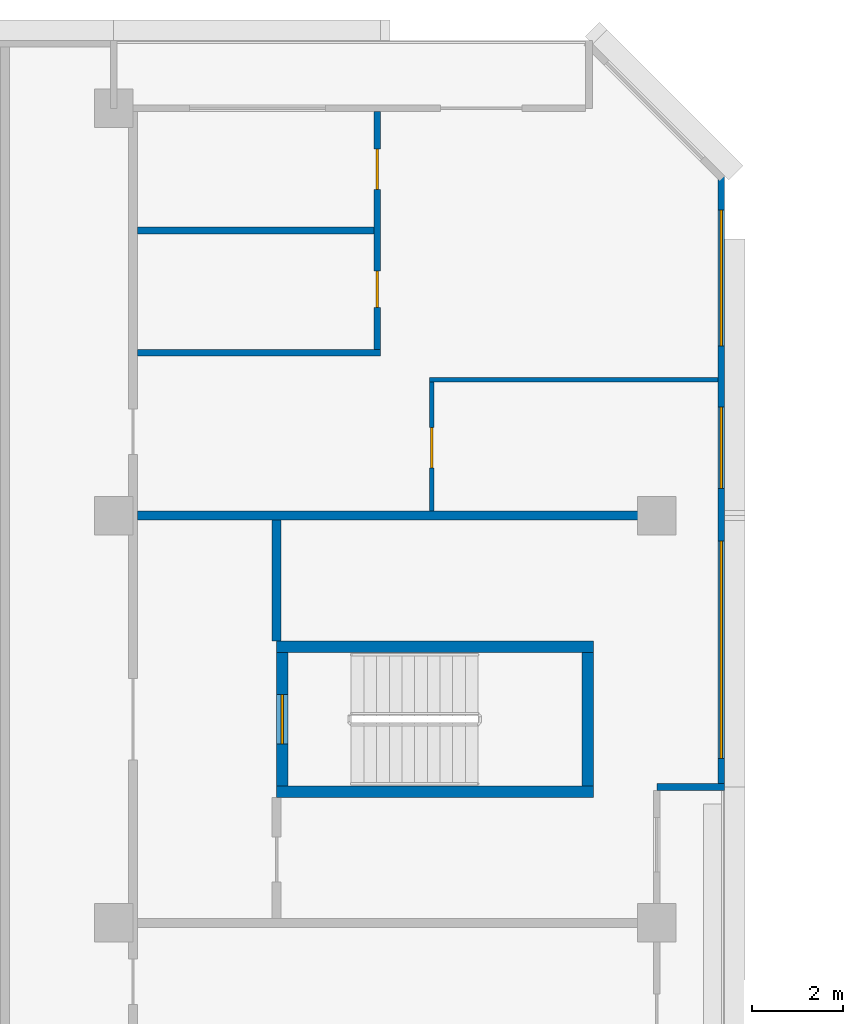
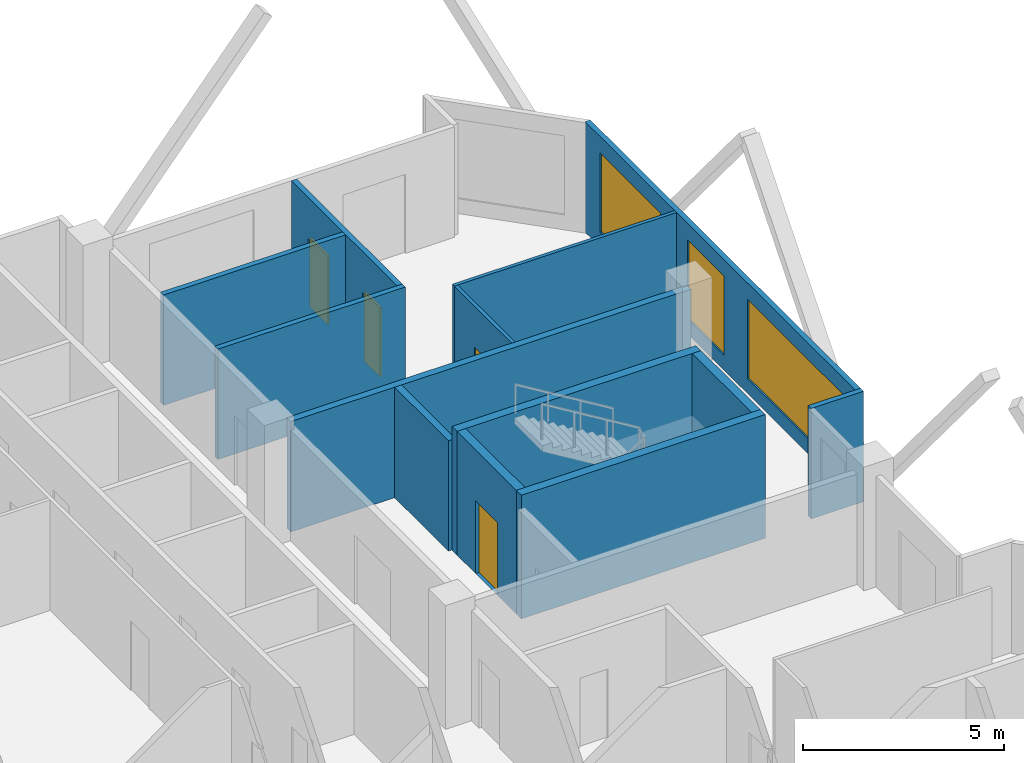
# One storey, part 11 of 14: 13 walls, 4 doors, 3 windows, 7 openings.
"""IFC4 building model written with IfcOpenShell, lengths in metres."""

from ifc_helpers import new_model, si_unit, direction, frame, frame_2d, origin, place, context, subcontext, project, spatial, rectangle, extrude, material, layer, layer_set, type_object, element, fill, save


model = new_model("IFC4")

# Units and contexts
model_context = context("Model", 3, precision=1e-05, world=origin(), true_north=direction((0.0, 1.0)))
body_context = subcontext(model_context, "Body", "Model", "MODEL_VIEW")
ifc_project = project(units=[si_unit("LENGTHUNIT", "METRE"), si_unit("AREAUNIT", "SQUARE_METRE"), si_unit("VOLUMEUNIT", "CUBIC_METRE"), si_unit("PLANEANGLEUNIT", "RADIAN"), si_unit("MASSUNIT", "GRAM", prefix="KILO")], contexts=[model_context])

# Site, building, storey
site_placement = place(None, origin())
site = spatial("IfcSite", under=ifc_project, at=site_placement, CompositionType="ELEMENT")
building_placement = place(site_placement, origin())
building = spatial("IfcBuilding", under=site, at=building_placement, Name="Chenar Terraces", CompositionType="ELEMENT")
storey_placement = place(building_placement, frame((0.0, 0.0, 226.64990234375)))
storey = spatial("IfcBuildingStorey", under=building, at=storey_placement, Name="L53", CompositionType="ELEMENT", Elevation=226.64990234375)

# Walls
ifc_material_1 = material(Name="Concrete C60/75", Category="concrete")
ifc_layer_1 = layer(ifc_material_1, 0.25)
ifc_layer_set_1 = layer_set([ifc_layer_1], Name="Concrete C60/75")
wall_type_1 = type_object("IfcWallType", Name="Core wall 250 Concrete C60/75", PredefinedType="SHEAR", material=ifc_layer_set_1)
for number, where, z_axis, x_axis, name in (
    (1, (15.60009765625, 47.89990234375, 0.0), (0.0, 0.0, 1.0), (1.0, 0.0, 0.0), "Core wall ST4_S L53"),
    (2, (15.60009765625, 51.10009765625, 0.0), (0.0, 0.0, 1.0), (1.0, 0.0, 0.0), "Core wall ST4_N L53"),
):
    element("IfcWall", number, at=place(storey_placement, frame(where, z_axis=z_axis, x_axis=x_axis)), inside=storey, type_object=wall_type_1, Name=name, PredefinedType="SHEAR", context=body_context, shape_type="SweptSolid", body=[
        extrude(rectangle(XDim=7.0, YDim=0.25, at=frame_2d((3.5, 0.0))), origin(), (0.0, 0.0, 1.0), 3.75),
    ])

# Wall, opening, door
wall_1_placement = place(storey_placement, frame((15.72509765625, 48.02490234375, 0.0), z_axis=(0.0, 0.0, 1.0), x_axis=(0.0, 1.0, 0.0)))
wall_1 = element("IfcWall", 3, at=wall_1_placement, inside=storey, type_object=wall_type_1, Name="Core wall ST4_W L53", PredefinedType="SHEAR", context=body_context, shape_type="SweptSolid", body=[
    extrude(rectangle(XDim=2.9501953125, YDim=0.25, at=frame_2d((1.47509765625, 0.0))), origin(), (0.0, 0.0, 1.0), 3.75),
])
opening_1_placement = place(wall_1_placement, frame((0.925048828125, 0.0, 0.0)))
opening_1 = element("IfcOpeningElement", 4, at=opening_1_placement, cuts=wall_1, Name="Opening DL53-C9", PredefinedType="OPENING", context=body_context, shape_type="SweptSolid", body=[
    extrude(rectangle(XDim=1.10009765625, YDim=2.199951171875, at=frame_2d((0.550048828125, 1.10009765625))), frame((0.0, 0.135009765625, 0.0), z_axis=(0.0, -1.0, 0.0), x_axis=(1.0, 0.0, 0.0)), (0.0, 0.0, 1.0), 0.27001953125),
])
ifc_material_2 = material(Name="Steel-framed fire-resisting door leaf", Category="steel")
door_type_1 = type_object("IfcDoorType", Name="Stair fire door FD60 1100 x 2200", OperationType="SINGLE_SWING_LEFT", PredefinedType="DOOR", material=ifc_material_2)
door_1_placement = place(opening_1_placement, frame((1.10009765625, 0.0, 0.0), z_axis=(0.0, 0.0, 1.0), x_axis=(-1.0, 0.0, 0.0)))
door_1 = element("IfcDoor", 5, at=door_1_placement, inside=storey, type_object=door_type_1, Name="Stair door DL53-C9", OperationType="SINGLE_SWING_RIGHT", OverallHeight=2.199951171875, OverallWidth=1.10009765625, PredefinedType="DOOR", context=body_context, shape_type="SweptSolid", body=[
    extrude(rectangle(XDim=1.10009765625, YDim=2.199951171875, at=frame_2d((0.550048828125, 1.10009765625))), frame((0.0, 0.02490234375, 0.0), z_axis=(0.0, -1.0, 0.0), x_axis=(1.0, 0.0, 0.0)), (0.0, 0.0, 1.0), 0.050048828125),
])
fill(opening_1, door_1)

# Walls
wall_2_placement = place(storey_placement, frame((22.47509765625, 48.02490234375, 0.0), z_axis=(0.0, 0.0, 1.0), x_axis=(0.0, 1.0, 0.0)))
element("IfcWall", 6, at=wall_2_placement, inside=storey, type_object=wall_type_1, Name="Core wall ST4_E L53", PredefinedType="SHEAR", context=body_context, shape_type="SweptSolid", body=[
    extrude(rectangle(XDim=2.9501953125, YDim=0.25, at=frame_2d((1.47509765625, 0.0))), origin(), (0.0, 0.0, 1.0), 3.75),
])
ifc_material_3 = material(Name="Gypsum board on steel studs with fire boards", Category="steel")
ifc_layer_2 = layer(ifc_material_3, 0.199951171875)
ifc_layer_set_2 = layer_set([ifc_layer_2], Name="Gypsum board on steel studs with fire boards")
wall_type_2 = type_object("IfcWallType", Name="Corridor wall 200", PredefinedType="PARTITIONING", material=ifc_layer_set_2)
wall_3_placement = place(storey_placement, frame((15.60009765625, 51.22509765625, 0.0), z_axis=(0.0, 0.0, 1.0), x_axis=(0.0, 1.0, 0.0)))
element("IfcWall", 7, at=wall_3_placement, inside=storey, type_object=wall_type_2, Name="Partition L53-043", PredefinedType="PARTITIONING", context=body_context, shape_type="SweptSolid", body=[
    extrude(rectangle(XDim=2.6748046875, YDim=0.199951171875, at=frame_2d((1.33740234375, 0.0))), origin(), (0.0, 0.0, 1.0), 3.35009765625),
])

# Wall, openings, windows
ifc_material_4 = material(Name="Aluminium framed glazing", Category="aluminium")
ifc_layer_3 = layer(ifc_material_4, 0.14990234375)
ifc_layer_set_3 = layer_set([ifc_layer_3], Name="Aluminium framed glazing")
wall_type_3 = type_object("IfcWallType", Name="Glazed flush facade wall 150", PredefinedType="SOLIDWALL", material=ifc_layer_set_3)
wall_4_placement = place(storey_placement, frame((25.425048828125, 48.074951171875, 0.0), z_axis=(0.0, 0.0, 1.0), x_axis=(0.0, 1.0, 0.0)))
wall_4 = element("IfcWall", 8, at=wall_4_placement, inside=storey, type_object=wall_type_3, Name="Glazed flush facade wall", PredefinedType="SOLIDWALL", context=body_context, shape_type="SweptSolid", body=[
    extrude(rectangle(XDim=13.425048828125, YDim=0.14990234375, at=frame_2d((6.71240234375, 0.0))), origin(), (0.0, 0.0, 1.0), 3.35009765625),
])
opening_2_placement = place(wall_4_placement, frame((0.5625, 0.0, 0.449951171875)))
opening_2 = element("IfcOpeningElement", 9, at=opening_2_placement, cuts=wall_4, Name="Opening W480x240", PredefinedType="OPENING", context=body_context, shape_type="SweptSolid", body=[
    extrude(rectangle(XDim=4.800048828125, YDim=2.39990234375, at=frame_2d((2.39990234375, 1.199951171875))), frame((0.0, 0.0849609375, 0.0), z_axis=(0.0, -1.0, 0.0), x_axis=(1.0, 0.0, 0.0)), (0.0, 0.0, 1.0), 0.169921875),
])
opening_3_placement = place(wall_4_placement, frame((6.52490234375, 0.0, 0.449951171875)))
opening_3 = element("IfcOpeningElement", 10, at=opening_3_placement, cuts=wall_4, Name="Opening W180x240", PredefinedType="OPENING", context=body_context, shape_type="SweptSolid", body=[
    extrude(rectangle(XDim=1.800048828125, YDim=2.39990234375, at=frame_2d((0.89990234375, 1.199951171875))), frame((0.0, 0.0849609375, 0.0), z_axis=(0.0, -1.0, 0.0), x_axis=(1.0, 0.0, 0.0)), (0.0, 0.0, 1.0), 0.169921875),
])
opening_4_placement = place(wall_4_placement, frame((9.675048828125, 0.0, 0.449951171875)))
opening_4 = element("IfcOpeningElement", 11, at=opening_4_placement, cuts=wall_4, Name="Opening W300x240", PredefinedType="OPENING", context=body_context, shape_type="SweptSolid", body=[
    extrude(rectangle(XDim=3.0, YDim=2.39990234375, at=frame_2d((1.5, 1.199951171875))), frame((0.0, 0.0849609375, 0.0), z_axis=(0.0, -1.0, 0.0), x_axis=(1.0, 0.0, 0.0)), (0.0, 0.0, 1.0), 0.169921875),
])
ifc_material_5 = material(Name="Low emissivity double glazing, aluminium frame", Category="aluminium")
window_type_1 = type_object("IfcWindowType", Name="Fixed light 1800 x 2400", PartitioningType="SINGLE_PANEL", PredefinedType="WINDOW", material=ifc_material_5)
window_1_placement = place(opening_3_placement, origin())
window_1 = element("IfcWindow", 12, at=window_1_placement, inside=storey, type_object=window_type_1, Name="Window", OverallHeight=2.39990234375, OverallWidth=1.800048828125, PartitioningType="SINGLE_PANEL", PredefinedType="WINDOW", context=body_context, shape_type="SweptSolid", body=[
    extrude(rectangle(XDim=1.800048828125, YDim=2.39990234375, at=frame_2d((0.89990234375, 1.199951171875))), frame((0.0, 0.030029296875, 0.0), z_axis=(0.0, -1.0, 0.0), x_axis=(1.0, 0.0, 0.0)), (0.0, 0.0, 1.0), 0.06005859375),
])
fill(opening_3, window_1)
ifc_material_6 = material(Name="Low emissivity double glazing, aluminium frame", Category="aluminium")
window_type_2 = type_object("IfcWindowType", Name="Fixed light 3000 x 2400", PartitioningType="SINGLE_PANEL", PredefinedType="WINDOW", material=ifc_material_6)
window_2_placement = place(opening_4_placement, origin())
window_2 = element("IfcWindow", 13, at=window_2_placement, inside=storey, type_object=window_type_2, Name="Window", OverallHeight=2.39990234375, OverallWidth=3.0, PartitioningType="SINGLE_PANEL", PredefinedType="WINDOW", context=body_context, shape_type="SweptSolid", body=[
    extrude(rectangle(XDim=3.0, YDim=2.39990234375, at=frame_2d((1.5, 1.199951171875))), frame((0.0, 0.030029296875, 0.0), z_axis=(0.0, -1.0, 0.0), x_axis=(1.0, 0.0, 0.0)), (0.0, 0.0, 1.0), 0.06005859375),
])
fill(opening_4, window_2)
ifc_material_7 = material(Name="Low emissivity double glazing, aluminium frame", Category="aluminium")
window_type_3 = type_object("IfcWindowType", Name="Fixed light 4800 x 2400", PartitioningType="SINGLE_PANEL", PredefinedType="WINDOW", material=ifc_material_7)
window_3_placement = place(opening_2_placement, origin())
window_3 = element("IfcWindow", 14, at=window_3_placement, inside=storey, type_object=window_type_3, Name="Window", OverallHeight=2.39990234375, OverallWidth=4.800048828125, PartitioningType="SINGLE_PANEL", PredefinedType="WINDOW", context=body_context, shape_type="SweptSolid", body=[
    extrude(rectangle(XDim=4.800048828125, YDim=2.39990234375, at=frame_2d((2.39990234375, 1.199951171875))), frame((0.0, 0.030029296875, 0.0), z_axis=(0.0, -1.0, 0.0), x_axis=(1.0, 0.0, 0.0)), (0.0, 0.0, 1.0), 0.06005859375),
])
fill(opening_2, window_3)

# Wall
ifc_material_8 = material(Name="Gypsum board on steel studs", Category="steel")
ifc_layer_4 = layer(ifc_material_8, 0.10009765625)
ifc_layer_set_4 = layer_set([ifc_layer_4], Name="Gypsum board on steel studs")
wall_type_4 = type_object("IfcWallType", Name="Gypsum partition 100", PredefinedType="PARTITIONING", material=ifc_layer_set_4)
wall_5_placement = place(storey_placement, frame((18.97509765625, 57.0, 0.0), z_axis=(0.0, 0.0, 1.0), x_axis=(1.0, 0.0, 0.0)))
element("IfcWall", 15, at=wall_5_placement, inside=storey, type_object=wall_type_4, Name="Partition L53-048", PredefinedType="PARTITIONING", context=body_context, shape_type="SweptSolid", body=[
    extrude(rectangle(XDim=6.375, YDim=0.10009765625, at=frame_2d((3.1875, 0.0))), origin(), (0.0, 0.0, 1.0), 3.35009765625),
])

# Wall, opening, door
wall_6_placement = place(storey_placement, frame((19.02490234375, 54.10009765625, 0.0), z_axis=(0.0, 0.0, 1.0), x_axis=(0.0, 1.0, 0.0)))
wall_6 = element("IfcWall", 16, at=wall_6_placement, inside=storey, type_object=wall_type_4, Name="Partition L53-049", PredefinedType="PARTITIONING", context=body_context, shape_type="SweptSolid", body=[
    extrude(rectangle(XDim=2.849853515625, YDim=0.10009765625, at=frame_2d((1.4248046875, 0.0))), origin(), (0.0, 0.0, 1.0), 3.35009765625),
])
opening_5_placement = place(wall_6_placement, frame((0.949951171875, 0.0, 0.0)))
opening_5 = element("IfcOpeningElement", 17, at=opening_5_placement, cuts=wall_6, Name="Opening DL53-19", PredefinedType="OPENING", context=body_context, shape_type="SweptSolid", body=[
    extrude(rectangle(XDim=0.89990234375, YDim=2.10009765625, at=frame_2d((0.449951171875, 1.050048828125))), frame((0.0, 0.06005859375, 0.0), z_axis=(0.0, -1.0, 0.0), x_axis=(1.0, 0.0, 0.0)), (0.0, 0.0, 1.0), 0.1201171875),
])
ifc_material_9 = material(Name="Veneered timber door leaf", Category="wood")
door_type_2 = type_object("IfcDoorType", Name="Door 900 x 2100", OperationType="SINGLE_SWING_LEFT", PredefinedType="DOOR", material=ifc_material_9)
door_2_placement = place(opening_5_placement, frame((0.89990234375, 0.0, 0.0), z_axis=(0.0, 0.0, 1.0), x_axis=(-1.0, 0.0, 0.0)))
door_2 = element("IfcDoor", 18, at=door_2_placement, inside=storey, type_object=door_type_2, Name="Door DL53-19", OperationType="SINGLE_SWING_LEFT", OverallHeight=2.10009765625, OverallWidth=0.89990234375, PredefinedType="DOOR", context=body_context, shape_type="SweptSolid", body=[
    extrude(rectangle(XDim=0.89990234375, YDim=2.10009765625, at=frame_2d((0.449951171875, 1.050048828125))), frame((0.0, 0.02490234375, 0.0), z_axis=(0.0, -1.0, 0.0), x_axis=(1.0, 0.0, 0.0)), (0.0, 0.0, 1.0), 0.050048828125),
])
fill(opening_5, door_2)

# Walls
ifc_material_10 = material(Name="Terracotta cladding on insulated backing", Category="masonry")
ifc_layer_5 = layer(ifc_material_10, 0.14990234375)
ifc_layer_set_5 = layer_set([ifc_layer_5], Name="Terracotta cladding on insulated backing")
wall_type_5 = type_object("IfcWallType", Name="Loggia return wall 150", PredefinedType="SOLIDWALL", material=ifc_layer_set_5)
wall_7_placement = place(storey_placement, frame((25.5, 48.0, 0.0), z_axis=(0.0, 0.0, 1.0), x_axis=(-1.0, 0.0, 0.0)))
element("IfcWall", 19, at=wall_7_placement, inside=storey, type_object=wall_type_5, Name="Loggia return wall", PredefinedType="SOLIDWALL", context=body_context, shape_type="SweptSolid", body=[
    extrude(rectangle(XDim=1.5, YDim=0.14990234375, at=frame_2d((0.75, 0.0))), origin(), (0.0, 0.0, 1.0), 3.35009765625),
])
ifc_material_11 = material(Name="Twin gypsum board on steel studs with mineral wool", Category="steel")
ifc_layer_6 = layer(ifc_material_11, 0.199951171875)
ifc_layer_set_6 = layer_set([ifc_layer_6], Name="Twin gypsum board on steel studs with mineral wool")
wall_type_6 = type_object("IfcWallType", Name="Unit demising wall 200", PredefinedType="PARTITIONING", material=ifc_layer_set_6)
wall_8_placement = place(storey_placement, frame((12.52490234375, 54.0, 0.0), z_axis=(0.0, 0.0, 1.0), x_axis=(1.0, 0.0, 0.0)))
element("IfcWall", 20, at=wall_8_placement, inside=storey, type_object=wall_type_6, Name="Partition L53-039", PredefinedType="PARTITIONING", context=body_context, shape_type="SweptSolid", body=[
    extrude(rectangle(XDim=11.47509765625, YDim=0.199951171875, at=frame_2d((5.737548828125, 0.0))), origin(), (0.0, 0.0, 1.0), 3.35009765625),
])
ifc_material_12 = material(Name="Moisture-resistant gypsum board on steel studs", Category="steel")
ifc_layer_7 = layer(ifc_material_12, 0.14990234375)
ifc_layer_set_7 = layer_set([ifc_layer_7], Name="Moisture-resistant gypsum board on steel studs")
wall_type_7 = type_object("IfcWallType", Name="Wet-room partition 150", PredefinedType="PARTITIONING", material=ifc_layer_set_7)
wall_9_placement = place(storey_placement, frame((12.52490234375, 57.60009765625, 0.0), z_axis=(0.0, 0.0, 1.0), x_axis=(1.0, 0.0, 0.0)))
element("IfcWall", 21, at=wall_9_placement, inside=storey, type_object=wall_type_7, Name="Partition L53-040", PredefinedType="PARTITIONING", context=body_context, shape_type="SweptSolid", body=[
    extrude(rectangle(XDim=5.375, YDim=0.14990234375, at=frame_2d((2.6875, 0.0))), origin(), (0.0, 0.0, 1.0), 3.35009765625),
])
wall_10_placement = place(storey_placement, frame((12.52490234375, 60.300048828125, 0.0), z_axis=(0.0, 0.0, 1.0), x_axis=(1.0, 0.0, 0.0)))
element("IfcWall", 22, at=wall_10_placement, inside=storey, type_object=wall_type_7, Name="Partition L53-041", PredefinedType="PARTITIONING", context=body_context, shape_type="SweptSolid", body=[
    extrude(rectangle(XDim=5.22509765625, YDim=0.14990234375, at=frame_2d((2.612548828125, 0.0))), origin(), (0.0, 0.0, 1.0), 3.35009765625),
])

# Wall, openings, doors
wall_11_placement = place(storey_placement, frame((17.824951171875, 57.675048828125, 0.0), z_axis=(0.0, 0.0, 1.0), x_axis=(0.0, 1.0, 0.0)))
wall_11 = element("IfcWall", 23, at=wall_11_placement, inside=storey, type_object=wall_type_7, Name="Partition L53-047", PredefinedType="PARTITIONING", context=body_context, shape_type="SweptSolid", body=[
    extrude(rectangle(XDim=5.2509765625, YDim=0.14990234375, at=frame_2d((2.62548828125, 0.0))), origin(), (0.0, 0.0, 1.0), 3.35009765625),
])
opening_6_placement = place(wall_11_placement, frame((0.925048828125, 0.0, 0.0)))
opening_6 = element("IfcOpeningElement", 24, at=opening_6_placement, cuts=wall_11, Name="Opening DL53-18", PredefinedType="OPENING", context=body_context, shape_type="SweptSolid", body=[
    extrude(rectangle(XDim=0.800048828125, YDim=2.10009765625, at=frame_2d((0.39990234375, 1.050048828125))), frame((0.0, 0.0849609375, 0.0), z_axis=(0.0, -1.0, 0.0), x_axis=(1.0, 0.0, 0.0)), (0.0, 0.0, 1.0), 0.169921875),
])
opening_7_placement = place(wall_11_placement, frame((3.52490234375, 0.0, 0.0)))
opening_7 = element("IfcOpeningElement", 25, at=opening_7_placement, cuts=wall_11, Name="Opening DL53-20", PredefinedType="OPENING", context=body_context, shape_type="SweptSolid", body=[
    extrude(rectangle(XDim=0.89990234375, YDim=2.10009765625, at=frame_2d((0.449951171875, 1.050048828125))), frame((0.0, 0.0849609375, 0.0), z_axis=(0.0, -1.0, 0.0), x_axis=(1.0, 0.0, 0.0)), (0.0, 0.0, 1.0), 0.169921875),
])
ifc_material_13 = material(Name="Veneered timber door leaf", Category="wood")
door_type_3 = type_object("IfcDoorType", Name="Door 800 x 2100", OperationType="SINGLE_SWING_LEFT", PredefinedType="DOOR", material=ifc_material_13)
door_3_placement = place(opening_6_placement, origin())
door_3 = element("IfcDoor", 26, at=door_3_placement, inside=storey, type_object=door_type_3, Name="Door DL53-18", OperationType="SINGLE_SWING_RIGHT", OverallHeight=2.10009765625, OverallWidth=0.800048828125, PredefinedType="DOOR", context=body_context, shape_type="SweptSolid", body=[
    extrude(rectangle(XDim=0.800048828125, YDim=2.10009765625, at=frame_2d((0.39990234375, 1.050048828125))), frame((0.0, 0.02490234375, 0.0), z_axis=(0.0, -1.0, 0.0), x_axis=(1.0, 0.0, 0.0)), (0.0, 0.0, 1.0), 0.050048828125),
])
fill(opening_6, door_3)
door_4_placement = place(opening_7_placement, origin())
door_4 = element("IfcDoor", 27, at=door_4_placement, inside=storey, type_object=door_type_2, Name="Door DL53-20", OperationType="SINGLE_SWING_LEFT", OverallHeight=2.10009765625, OverallWidth=0.89990234375, PredefinedType="DOOR", context=body_context, shape_type="SweptSolid", body=[
    extrude(rectangle(XDim=0.89990234375, YDim=2.10009765625, at=frame_2d((0.449951171875, 1.050048828125))), frame((0.0, 0.02490234375, 0.0), z_axis=(0.0, -1.0, 0.0), x_axis=(1.0, 0.0, 0.0)), (0.0, 0.0, 1.0), 0.050048828125),
])
fill(opening_7, door_4)

save(model, "model.ifc")
